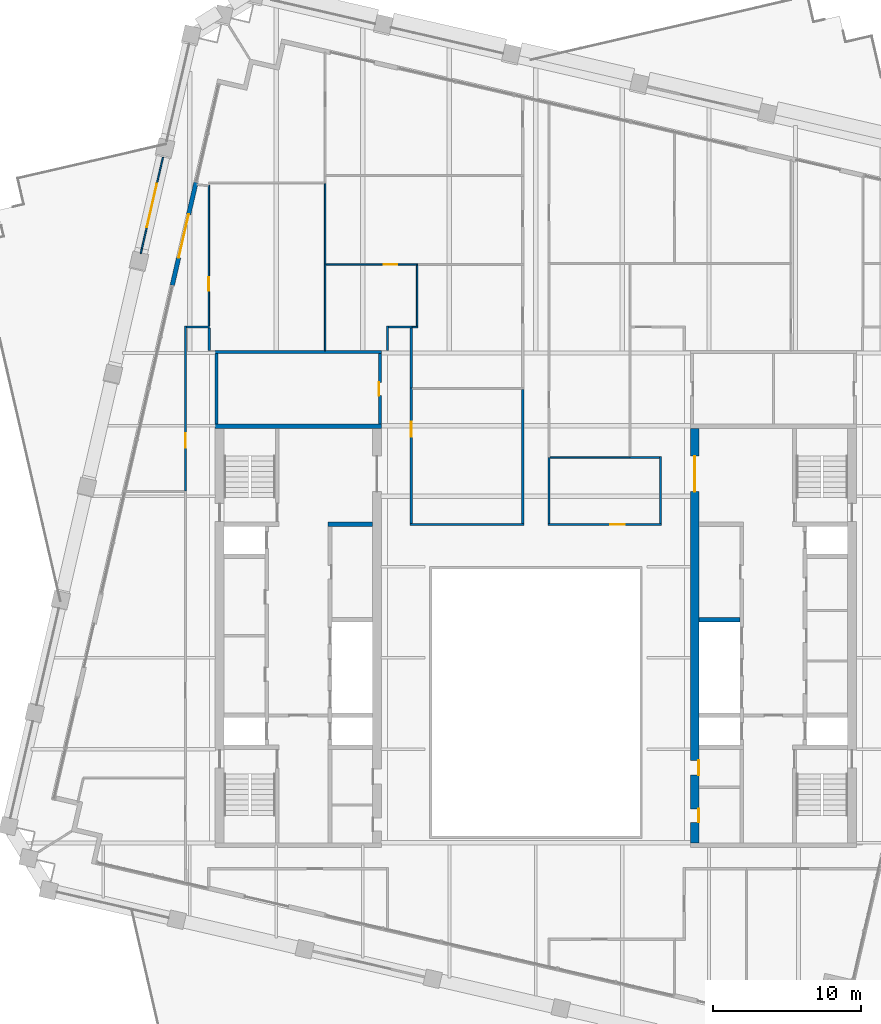
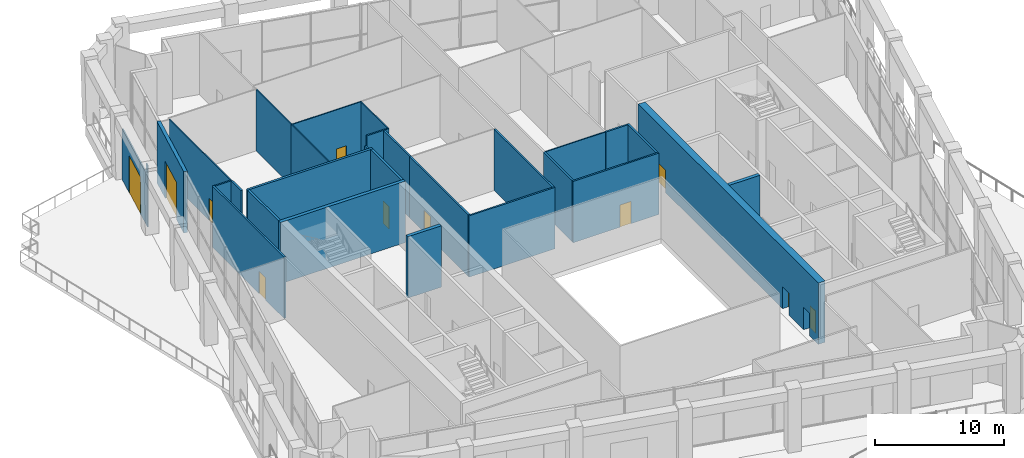
# One storey, part 14 of 21: 30 walls, 11 doors, 11 openings.
"""IFC4 building model written with IfcOpenShell, lengths in metres."""

from ifc_helpers import new_model, si_unit, direction, frame, frame_2d, origin, place, context, subcontext, project, spatial, rectangle, extrude, material, layer, layer_set, type_object, element, fill, save


model = new_model("IFC4")

# Units and contexts
model_context = context("Model", 3, precision=1e-05, world=origin(), true_north=direction((0.0, 1.0)))
body_context = subcontext(model_context, "Body", "Model", "MODEL_VIEW")
ifc_project = project(units=[si_unit("LENGTHUNIT", "METRE"), si_unit("AREAUNIT", "SQUARE_METRE"), si_unit("VOLUMEUNIT", "CUBIC_METRE"), si_unit("PLANEANGLEUNIT", "RADIAN"), si_unit("MASSUNIT", "GRAM", prefix="KILO")], contexts=[model_context])

# Site, building, storey
site_placement = place(None, origin())
site = spatial("IfcSite", under=ifc_project, at=site_placement, CompositionType="ELEMENT")
building_placement = place(site_placement, origin())
building = spatial("IfcBuilding", under=site, at=building_placement, Name="Ogive Exchange Tower", CompositionType="ELEMENT")
storey_placement = place(building_placement, frame((0.0, 0.0, 237.0)))
storey = spatial("IfcBuildingStorey", under=building, at=storey_placement, Name="L51", CompositionType="ELEMENT", Elevation=237.0)

# Wall
ifc_material_1 = material(Name="Gypsum board partition")
ifc_layer_1 = layer(ifc_material_1, 0.300048828125)
ifc_layer_set_1 = layer_set([ifc_layer_1], Name="Core room partition 300 gypsum")
wall_type_1 = type_object("IfcWallType", Name="Core room partition 300 gypsum", PredefinedType="PARTITIONING", material=ifc_layer_set_1)
wall_1_placement = place(storey_placement, frame((-14.0, 19.0, 0.0), z_axis=(0.0, 0.0, 1.0), x_axis=(1.0, 0.0, 0.0)))
element("IfcWall", 1, at=wall_1_placement, inside=storey, type_object=wall_type_1, Name="W row B room end wall 7", PredefinedType="PARTITIONING", context=body_context, shape_type="SweptSolid", body=[
    extrude(rectangle(XDim=3.0, YDim=0.300048828125, at=frame_2d((1.5, 0.0))), origin(), (0.0, 0.0, 1.0), 5.800048828125),
])

# Wall, opening, door
ifc_material_2 = material(Name="Fire partition EI 60 150")
ifc_layer_2 = layer(ifc_material_2, 0.14990234375)
ifc_layer_set_2 = layer_set([ifc_layer_2], Name="Fire partition EI 60 150")
wall_type_2 = type_object("IfcWallType", Name="Fire partition EI 60 150", PredefinedType="PARTITIONING", material=ifc_layer_set_2)
wall_2_placement = place(storey_placement, frame((-23.60009765625, 21.260009765625, 0.0), z_axis=(0.0, 0.0, 1.0), x_axis=(0.0, 1.0, 0.0)))
wall_2 = element("IfcWall", 2, at=wall_2_placement, inside=storey, type_object=wall_type_2, Name="L51-PWL-006", PredefinedType="PARTITIONING", context=body_context, shape_type="SweptSolid", body=[
    extrude(rectangle(XDim=11.114990234375, YDim=0.14990234375, at=frame_2d((5.5576171875, 0.0))), origin(), (0.0, 0.0, 1.0), 5.800048828125),
])
opening_1_placement = place(wall_2_placement, frame((2.889892578125, 0.0, 0.0)))
opening_1 = element("IfcOpeningElement", 3, at=opening_1_placement, cuts=wall_2, Name="Opening L51-I09", PredefinedType="OPENING", context=body_context, shape_type="SweptSolid", body=[
    extrude(rectangle(XDim=1.0, YDim=2.10009765625, at=frame_2d((0.5, 1.050048828125))), frame((0.0, 0.0849609375, 0.0), z_axis=(0.0, -1.0, 0.0), x_axis=(1.0, 0.0, 0.0)), (0.0, 0.0, 1.0), 0.169921875),
])
ifc_material_3 = material(Name="Fire door FD 30S 1000 x 2100")
door_type_1 = type_object("IfcDoorType", Name="Fire door FD 30S 1000 x 2100", OperationType="NOTDEFINED", PredefinedType="DOOR", material=ifc_material_3)
door_1_placement = place(opening_1_placement, origin())
door_1 = element("IfcDoor", 4, at=door_1_placement, inside=storey, type_object=door_type_1, Name="L51-IDR-009", ObjectType="DT3", OperationType="SINGLE_SWING_RIGHT", OverallHeight=2.10009765625, OverallWidth=1.0, PredefinedType="DOOR", context=body_context, shape_type="SweptSolid", body=[
    extrude(rectangle(XDim=1.0, YDim=2.10009765625, at=frame_2d((0.5, 1.050048828125))), frame((0.0, 0.02490234375, 0.0), z_axis=(0.0, -1.0, 0.0), x_axis=(1.0, 0.0, 0.0)), (0.0, 0.0, 1.0), 0.050048828125),
])
fill(opening_1, door_1)

# Walls
wall_3_placement = place(storey_placement, frame((-23.52490234375, 32.300048828125, 0.0), z_axis=(0.0, 0.0, 1.0), x_axis=(1.0, 0.0, 0.0)))
element("IfcWall", 5, at=wall_3_placement, inside=storey, type_object=wall_type_2, Name="L51-PWL-007", PredefinedType="PARTITIONING", context=body_context, shape_type="SweptSolid", body=[
    extrude(rectangle(XDim=1.544921875, YDim=0.14990234375, at=frame_2d((0.7724609375, 0.0))), origin(), (0.0, 0.0, 1.0), 5.800048828125),
])
wall_4_placement = place(storey_placement, frame((-22.0, 32.22509765625, 0.0), z_axis=(0.0, 0.0, 1.0), x_axis=(0.0, -1.0, 0.0)))
element("IfcWall", 6, at=wall_4_placement, inside=storey, type_object=wall_type_2, Name="L51-PWL-013", PredefinedType="PARTITIONING", context=body_context, shape_type="SweptSolid", body=[
    extrude(rectangle(XDim=1.525146484375, YDim=0.14990234375, at=frame_2d((0.7626953125, 0.0))), origin(), (0.0, 0.0, 1.0), 5.800048828125),
])
wall_5_placement = place(storey_placement, frame((-10.0, 30.699951171875, 0.0), z_axis=(0.0, 0.0, 1.0), x_axis=(0.0, 1.0, 0.0)))
element("IfcWall", 7, at=wall_5_placement, inside=storey, type_object=wall_type_2, Name="L51-PWL-022", PredefinedType="PARTITIONING", context=body_context, shape_type="SweptSolid", body=[
    extrude(rectangle(XDim=1.675048828125, YDim=0.14990234375, at=frame_2d((0.83740234375, 0.0))), origin(), (0.0, 0.0, 1.0), 4.820068359375),
])
wall_6_placement = place(storey_placement, frame((-9.925048828125, 32.300048828125, 0.0), z_axis=(0.0, 0.0, 1.0), x_axis=(1.0, 0.0, 0.0)))
element("IfcWall", 8, at=wall_6_placement, inside=storey, type_object=wall_type_2, Name="L51-PWL-023", PredefinedType="PARTITIONING", context=body_context, shape_type="SweptSolid", body=[
    extrude(rectangle(XDim=1.60009765625, YDim=0.14990234375, at=frame_2d((0.800048828125, 0.0))), origin(), (0.0, 0.0, 1.0), 5.800048828125),
])
wall_7_placement = place(storey_placement, frame((-8.47509765625, 19.0, 0.0), z_axis=(0.0, 0.0, 1.0), x_axis=(1.0, 0.0, 0.0)))
element("IfcWall", 9, at=wall_7_placement, inside=storey, type_object=wall_type_2, Name="L51-PWL-024", PredefinedType="PARTITIONING", context=body_context, shape_type="SweptSolid", body=[
    extrude(rectangle(XDim=7.670166015625, YDim=0.14990234375, at=frame_2d((3.8349609375, 0.0))), origin(), (0.0, 0.0, 1.0), 5.800048828125),
])

# Wall, opening, door
wall_8_placement = place(storey_placement, frame((-8.39990234375, 28.18994140625, 0.0), z_axis=(0.0, 0.0, 1.0), x_axis=(0.0, -1.0, 0.0)))
wall_8 = element("IfcWall", 10, at=wall_8_placement, inside=storey, type_object=wall_type_2, Name="L51-PWL-025", PredefinedType="PARTITIONING", context=body_context, shape_type="SweptSolid", body=[
    extrude(rectangle(XDim=9.114990234375, YDim=0.14990234375, at=frame_2d((4.5576171875, 0.0))), origin(), (0.0, 0.0, 1.0), 5.800048828125),
])
opening_2_placement = place(wall_8_placement, frame((2.2900390625, 0.0, 0.0)))
opening_2 = element("IfcOpeningElement", 11, at=opening_2_placement, cuts=wall_8, Name="Opening L51-I02", PredefinedType="OPENING", context=body_context, shape_type="SweptSolid", body=[
    extrude(rectangle(XDim=1.0, YDim=2.10009765625, at=frame_2d((0.5, 1.050048828125))), frame((0.0, 0.0849609375, 0.0), z_axis=(0.0, -1.0, 0.0), x_axis=(1.0, 0.0, 0.0)), (0.0, 0.0, 1.0), 0.169921875),
])
door_2_placement = place(opening_2_placement, origin())
door_2 = element("IfcDoor", 12, at=door_2_placement, inside=storey, type_object=door_type_1, Name="L51-IDR-002", ObjectType="DT3", OperationType="SINGLE_SWING_RIGHT", OverallHeight=2.10009765625, OverallWidth=1.0, PredefinedType="DOOR", context=body_context, shape_type="SweptSolid", body=[
    extrude(rectangle(XDim=1.0, YDim=2.10009765625, at=frame_2d((0.5, 1.050048828125))), frame((0.0, 0.02490234375, 0.0), z_axis=(0.0, -1.0, 0.0), x_axis=(1.0, 0.0, 0.0)), (0.0, 0.0, 1.0), 0.050048828125),
])
fill(opening_2, door_2)

# Walls
wall_9_placement = place(storey_placement, frame((-8.389892578125, 32.215087890625, 0.0), z_axis=(0.0, 0.0, 1.0), x_axis=(0.0, -1.0, 0.0)))
element("IfcWall", 13, at=wall_9_placement, inside=storey, type_object=wall_type_2, Name="L51-PWL-027", PredefinedType="PARTITIONING", context=body_context, shape_type="SweptSolid", body=[
    extrude(rectangle(XDim=4.025146484375, YDim=0.14990234375, at=frame_2d((2.0126953125, 0.0))), origin(), (0.0, 0.0, 1.0), 5.800048828125),
])
wall_10_placement = place(storey_placement, frame((-0.8798828125, 19.074951171875, 0.0), z_axis=(0.0, 0.0, 1.0), x_axis=(0.0, 1.0, 0.0)))
element("IfcWall", 14, at=wall_10_placement, inside=storey, type_object=wall_type_2, Name="L51-PWL-031", PredefinedType="PARTITIONING", context=body_context, shape_type="SweptSolid", body=[
    extrude(rectangle(XDim=9.01513671875, YDim=0.14990234375, at=frame_2d((4.507568359375, 0.0))), origin(), (0.0, 0.0, 1.0), 5.800048828125),
])

# Wall, opening, door
wall_11_placement = place(storey_placement, frame((0.804931640625, 19.0, 0.0), z_axis=(0.0, 0.0, 1.0), x_axis=(1.0, 0.0, 0.0)))
wall_11 = element("IfcWall", 15, at=wall_11_placement, inside=storey, type_object=wall_type_2, Name="L51-PWL-036", PredefinedType="PARTITIONING", context=body_context, shape_type="SweptSolid", body=[
    extrude(rectangle(XDim=7.670166015625, YDim=0.14990234375, at=frame_2d((3.8349609375, 0.0))), origin(), (0.0, 0.0, 1.0), 5.800048828125),
])
opening_3_placement = place(wall_11_placement, frame((4.195068359375, 0.0, 0.0)))
opening_3 = element("IfcOpeningElement", 16, at=opening_3_placement, cuts=wall_11, Name="Opening L51-I14", PredefinedType="OPENING", context=body_context, shape_type="SweptSolid", body=[
    extrude(rectangle(XDim=1.0, YDim=2.10009765625, at=frame_2d((0.5, 1.050048828125))), frame((0.0, 0.0849609375, 0.0), z_axis=(0.0, -1.0, 0.0), x_axis=(1.0, 0.0, 0.0)), (0.0, 0.0, 1.0), 0.169921875),
])
door_3_placement = place(opening_3_placement, origin())
door_3 = element("IfcDoor", 17, at=door_3_placement, inside=storey, type_object=door_type_1, Name="L51-IDR-014", ObjectType="DT3", OperationType="SINGLE_SWING_LEFT", OverallHeight=2.10009765625, OverallWidth=1.0, PredefinedType="DOOR", context=body_context, shape_type="SweptSolid", body=[
    extrude(rectangle(XDim=1.0, YDim=2.10009765625, at=frame_2d((0.5, 1.050048828125))), frame((0.0, 0.02490234375, 0.0), z_axis=(0.0, -1.0, 0.0), x_axis=(1.0, 0.0, 0.0)), (0.0, 0.0, 1.0), 0.050048828125),
])
fill(opening_3, door_3)

# Walls
wall_12_placement = place(storey_placement, frame((0.8798828125, 23.5, 0.0), z_axis=(0.0, 0.0, 1.0), x_axis=(0.0, -1.0, 0.0)))
element("IfcWall", 18, at=wall_12_placement, inside=storey, type_object=wall_type_2, Name="L51-PWL-037", PredefinedType="PARTITIONING", context=body_context, shape_type="SweptSolid", body=[
    extrude(rectangle(XDim=4.425048828125, YDim=0.14990234375, at=frame_2d((2.21240234375, 0.0))), origin(), (0.0, 0.0, 1.0), 5.800048828125),
])
wall_13_placement = place(storey_placement, frame((8.39990234375, 19.074951171875, 0.0), z_axis=(0.0, 0.0, 1.0), x_axis=(0.0, 1.0, 0.0)))
element("IfcWall", 19, at=wall_13_placement, inside=storey, type_object=wall_type_2, Name="L51-PWL-045", PredefinedType="PARTITIONING", context=body_context, shape_type="SweptSolid", body=[
    extrude(rectangle(XDim=4.5, YDim=0.14990234375, at=frame_2d((2.25, 0.0))), origin(), (0.0, 0.0, 1.0), 5.800048828125),
])
wall_14_placement = place(storey_placement, frame((8.324951171875, 23.5, 0.0), z_axis=(0.0, 0.0, 1.0), x_axis=(-1.0, 0.0, 0.0)))
element("IfcWall", 20, at=wall_14_placement, inside=storey, type_object=wall_type_2, Name="L51-PWL-046", PredefinedType="PARTITIONING", context=body_context, shape_type="SweptSolid", body=[
    extrude(rectangle(XDim=1.98486328125, YDim=0.14990234375, at=frame_2d((0.992431640625, 0.0))), origin(), (0.0, 0.0, 1.0), 5.800048828125),
])

# Wall, opening, door
ifc_material_4 = material(Name="Precast concrete C40/50", Category="concrete")
ifc_layer_3 = layer(ifc_material_4, 0.300048828125)
ifc_layer_set_3 = layer_set([ifc_layer_3], Name="Limestone-faced wall 300")
wall_type_3 = type_object("IfcWallType", Name="Limestone-faced wall 300", PredefinedType="STANDARD", material=ifc_layer_set_3)
wall_15_placement = place(storey_placement, frame((-22.8916015625, 42.03857421875, 0.0), z_axis=(0.0, 0.0, 1.0), x_axis=(-0.224982313536, -0.974362847504, 0.0)))
wall_15 = element("IfcWall", 21, at=wall_15_placement, inside=storey, type_object=wall_type_3, Name="External wall W6", PredefinedType="STANDARD", context=body_context, shape_type="SweptSolid", body=[
    extrude(rectangle(XDim=7.1142578125, YDim=0.300048828125, at=frame_2d((3.55712890625, 0.0))), origin(), (0.0, 0.0, 1.0), 5.800048828125),
])
opening_4_placement = place(wall_15_placement, frame((2.20703125, 0.0, 0.0)))
opening_4 = element("IfcOpeningElement", 22, at=opening_4_placement, cuts=wall_15, Name="Opening D2", PredefinedType="OPENING", context=body_context, shape_type="SweptSolid", body=[
    extrude(rectangle(XDim=3.0, YDim=3.5, at=frame_2d((1.5, 1.75))), frame((0.0, 0.159912109375, 0.0), z_axis=(0.0, -1.0, 0.0), x_axis=(1.0, 0.0, 0.0)), (0.0, 0.0, 1.0), 0.320068359375),
])
ifc_material_5 = material(Name="Clear glass in bronze frame", Category="glass")
door_type_2 = type_object("IfcDoorType", Name="Winter garden sliding door 3000 x 3500", OperationType="DOUBLE_DOOR_SLIDING", PredefinedType="DOOR", material=ifc_material_5)
door_4_placement = place(opening_4_placement, origin())
door_4 = element("IfcDoor", 23, at=door_4_placement, inside=storey, type_object=door_type_2, Name="Loggia door W01", OperationType="DOUBLE_DOOR_SLIDING", OverallHeight=3.5, OverallWidth=3.0, PredefinedType="DOOR", context=body_context, shape_type="SweptSolid", body=[
    extrude(rectangle(XDim=3.0, YDim=3.5, at=frame_2d((1.5, 1.75))), frame((0.0, 0.02490234375, 0.0), z_axis=(0.0, -1.0, 0.0), x_axis=(1.0, 0.0, 0.0)), (0.0, 0.0, 1.0), 0.050048828125),
])
fill(opening_4, door_4)

ifc_material_6 = material(Name="Laminated safety glass in steel frame", Category="steel")
ifc_layer_4 = layer(ifc_material_6, 0.10009765625)
ifc_layer_set_4 = layer_set([ifc_layer_4], Name="Loggia end screen 100")
wall_type_4 = type_object("IfcWallType", Name="Loggia end screen 100", PredefinedType="STANDARD", material=ifc_layer_set_4)
wall_16_placement = place(storey_placement, frame((-25.118896484375, 43.72705078125, 0.0), z_axis=(0.0, 0.0, 1.0), x_axis=(-0.224972527218, -0.974365107132, 0.0)))
wall_16 = element("IfcWall", 24, at=wall_16_placement, inside=storey, type_object=wall_type_4, Name="Terrace screen W01", PredefinedType="STANDARD", context=body_context, shape_type="SweptSolid", body=[
    extrude(rectangle(XDim=6.310546875, YDim=0.10009765625, at=frame_2d((3.1552734375, 0.0))), origin(), (0.0, 0.0, 1.0), 4.85009765625),
])
opening_5_placement = place(wall_16_placement, frame((1.830078125, 0.0, 0.0)))
opening_5 = element("IfcOpeningElement", 25, at=opening_5_placement, cuts=wall_16, Name="Opening D4", PredefinedType="OPENING", context=body_context, shape_type="SweptSolid", body=[
    extrude(rectangle(XDim=3.0, YDim=3.5, at=frame_2d((1.5, 1.75))), frame((0.0, 0.06005859375, 0.0), z_axis=(0.0, -1.0, 0.0), x_axis=(1.0, 0.0, 0.0)), (0.0, 0.0, 1.0), 0.1201171875),
])
door_type_3 = type_object("IfcDoorType", Name="Terrace sliding door 3000 x 3500", OperationType="DOUBLE_DOOR_SLIDING", PredefinedType="DOOR", material=ifc_material_5)
door_5_placement = place(opening_5_placement, origin())
door_5 = element("IfcDoor", 26, at=door_5_placement, inside=storey, type_object=door_type_3, Name="Terrace door W01", OperationType="DOUBLE_DOOR_SLIDING", OverallHeight=3.5, OverallWidth=3.0, PredefinedType="DOOR", context=body_context, shape_type="SweptSolid", body=[
    extrude(rectangle(XDim=3.0, YDim=3.5, at=frame_2d((1.5, 1.75))), frame((0.0, 0.02490234375, 0.0), z_axis=(0.0, -1.0, 0.0), x_axis=(1.0, 0.0, 0.0)), (0.0, 0.0, 1.0), 0.050048828125),
])
fill(opening_5, door_5)

# Wall
wall_17_placement = place(storey_placement, frame((-26.53857421875, 37.578369140625, 0.0), z_axis=(0.0, 0.0, 1.0), x_axis=(-0.224910518966, -0.974379422227, 0.0)))
element("IfcWall", 27, at=wall_17_placement, inside=storey, type_object=wall_type_4, Name="Terrace screen W01", PredefinedType="STANDARD", context=body_context, shape_type="SweptSolid", body=[
    extrude(rectangle(XDim=0.349609375, YDim=0.10009765625, at=frame_2d((0.1748046875, 0.0))), origin(), (0.0, 0.0, 1.0), 5.800048828125),
])

# Wall, opening, door
ifc_material_7 = material(Name="Partition 100 gypsum")
ifc_layer_5 = layer(ifc_material_7, 0.10009765625)
ifc_layer_set_5 = layer_set([ifc_layer_5], Name="Partition 100 gypsum")
wall_type_5 = type_object("IfcWallType", Name="Partition 100 gypsum", PredefinedType="PARTITIONING", material=ifc_layer_set_5)
wall_18_placement = place(storey_placement, frame((-22.030029296875, 32.375, 0.0), z_axis=(0.0, 0.0, 1.0), x_axis=(0.0, 1.0, 0.0)))
wall_18 = element("IfcWall", 28, at=wall_18_placement, inside=storey, type_object=wall_type_5, Name="L51-PWL-010", PredefinedType="PARTITIONING", context=body_context, shape_type="SweptSolid", body=[
    extrude(rectangle(XDim=9.47509765625, YDim=0.10009765625, at=frame_2d((4.737548828125, 0.0))), origin(), (0.0, 0.0, 1.0), 5.800048828125),
])
opening_6_placement = place(wall_18_placement, frame((2.375, 0.0, 0.0)))
opening_6 = element("IfcOpeningElement", 29, at=opening_6_placement, cuts=wall_18, Name="Opening L51-I07", PredefinedType="OPENING", context=body_context, shape_type="SweptSolid", body=[
    extrude(rectangle(XDim=0.89990234375, YDim=2.10009765625, at=frame_2d((0.449951171875, 1.050048828125))), frame((0.0, 0.06005859375, 0.0), z_axis=(0.0, -1.0, 0.0), x_axis=(1.0, 0.0, 0.0)), (0.0, 0.0, 1.0), 0.1201171875),
])
ifc_material_8 = material(Name="Door 900 x 2100")
door_type_4 = type_object("IfcDoorType", Name="Door 900 x 2100", OperationType="NOTDEFINED", PredefinedType="DOOR", material=ifc_material_8)
door_6_placement = place(opening_6_placement, origin())
door_6 = element("IfcDoor", 30, at=door_6_placement, inside=storey, type_object=door_type_4, Name="L51-IDR-007", ObjectType="DT1", OperationType="SINGLE_SWING_RIGHT", OverallHeight=2.10009765625, OverallWidth=0.89990234375, PredefinedType="DOOR", context=body_context, shape_type="SweptSolid", body=[
    extrude(rectangle(XDim=0.89990234375, YDim=2.10009765625, at=frame_2d((0.449951171875, 1.050048828125))), frame((0.0, 0.02490234375, 0.0), z_axis=(0.0, -1.0, 0.0), x_axis=(1.0, 0.0, 0.0)), (0.0, 0.0, 1.0), 0.050048828125),
])
fill(opening_6, door_6)

# Walls
wall_19_placement = place(storey_placement, frame((-14.18994140625, 30.699951171875, 0.0), z_axis=(0.0, 0.0, 1.0), x_axis=(0.0, 1.0, 0.0)))
element("IfcWall", 31, at=wall_19_placement, inside=storey, type_object=wall_type_5, Name="L51-PWL-014", PredefinedType="PARTITIONING", context=body_context, shape_type="SweptSolid", body=[
    extrude(rectangle(XDim=5.85009765625, YDim=0.10009765625, at=frame_2d((2.925048828125, 0.0))), origin(), (0.0, 0.0, 1.0), 5.800048828125),
])
wall_20_placement = place(storey_placement, frame((-14.18994140625, 36.550048828125, 0.0), z_axis=(0.0, 0.0, 1.0), x_axis=(0.0, 1.0, 0.0)))
element("IfcWall", 32, at=wall_20_placement, inside=storey, type_object=wall_type_5, Name="L51-PWL-015", PredefinedType="PARTITIONING", context=body_context, shape_type="SweptSolid", body=[
    extrude(rectangle(XDim=5.39990234375, YDim=0.10009765625, at=frame_2d((2.699951171875, 0.0))), origin(), (0.0, 0.0, 1.0), 5.800048828125),
])

# Wall, opening, door
wall_21_placement = place(storey_placement, frame((-14.139892578125, 36.5, 0.0), z_axis=(0.0, 0.0, 1.0), x_axis=(1.0, 0.0, 0.0)))
wall_21 = element("IfcWall", 33, at=wall_21_placement, inside=storey, type_object=wall_type_5, Name="L51-PWL-016", PredefinedType="PARTITIONING", context=body_context, shape_type="SweptSolid", body=[
    extrude(rectangle(XDim=6.18994140625, YDim=0.10009765625, at=frame_2d((3.094970703125, 0.0))), origin(), (0.0, 0.0, 1.0), 5.800048828125),
])
opening_7_placement = place(wall_21_placement, frame((3.89990234375, 0.0, 0.0)))
opening_7 = element("IfcOpeningElement", 34, at=opening_7_placement, cuts=wall_21, Name="Opening L51-I03", PredefinedType="OPENING", context=body_context, shape_type="SweptSolid", body=[
    extrude(rectangle(XDim=0.89990234375, YDim=2.10009765625, at=frame_2d((0.449951171875, 1.050048828125))), frame((0.0, 0.06005859375, 0.0), z_axis=(0.0, -1.0, 0.0), x_axis=(1.0, 0.0, 0.0)), (0.0, 0.0, 1.0), 0.1201171875),
])
door_7_placement = place(opening_7_placement, frame((0.89990234375, 0.0, 0.0), z_axis=(0.0, 0.0, 1.0), x_axis=(-1.0, 0.0, 0.0)))
door_7 = element("IfcDoor", 35, at=door_7_placement, inside=storey, type_object=door_type_4, Name="L51-IDR-003", ObjectType="DT1", OperationType="SINGLE_SWING_RIGHT", OverallHeight=2.10009765625, OverallWidth=0.89990234375, PredefinedType="DOOR", context=body_context, shape_type="SweptSolid", body=[
    extrude(rectangle(XDim=0.89990234375, YDim=2.10009765625, at=frame_2d((0.449951171875, 1.050048828125))), frame((0.0, 0.02490234375, 0.0), z_axis=(0.0, -1.0, 0.0), x_axis=(1.0, 0.0, 0.0)), (0.0, 0.0, 1.0), 0.050048828125),
])
fill(opening_7, door_7)

# Walls
wall_22_placement = place(storey_placement, frame((-7.949951171875, 32.2900390625, 0.0), z_axis=(0.0, 0.0, 1.0), x_axis=(-1.0, 0.0, 0.0)))
element("IfcWall", 36, at=wall_22_placement, inside=storey, type_object=wall_type_5, Name="L51-PWL-028", PredefinedType="PARTITIONING", context=body_context, shape_type="SweptSolid", body=[
    extrude(rectangle(XDim=0.375, YDim=0.10009765625, at=frame_2d((0.1875, 0.0))), origin(), (0.0, 0.0, 1.0), 5.800048828125),
])
wall_23_placement = place(storey_placement, frame((-8.0, 36.449951171875, 0.0), z_axis=(0.0, 0.0, 1.0), x_axis=(0.0, -1.0, 0.0)))
element("IfcWall", 37, at=wall_23_placement, inside=storey, type_object=wall_type_5, Name="L51-PWL-029", PredefinedType="PARTITIONING", context=body_context, shape_type="SweptSolid", body=[
    extrude(rectangle(XDim=4.10986328125, YDim=0.10009765625, at=frame_2d((2.054931640625, 0.0))), origin(), (0.0, 0.0, 1.0), 5.800048828125),
])
wall_24_placement = place(storey_placement, frame((0.955078125, 23.5, 0.0), z_axis=(0.0, 0.0, 1.0), x_axis=(1.0, 0.0, 0.0)))
element("IfcWall", 38, at=wall_24_placement, inside=storey, type_object=wall_type_5, Name="L51-PWL-038", PredefinedType="PARTITIONING", context=body_context, shape_type="SweptSolid", body=[
    extrude(rectangle(XDim=5.385009765625, YDim=0.10009765625, at=frame_2d((2.6923828125, 0.0))), origin(), (0.0, 0.0, 1.0), 5.800048828125),
])
ifc_material_9 = material(Name="Concrete C70/85", Category="concrete")
ifc_layer_6 = layer(ifc_material_9, 0.199951171875)
ifc_layer_set_6 = layer_set([ifc_layer_6], Name="RC core wall 200 C70/85")
wall_type_6 = type_object("IfcWallType", Name="RC core wall 200 C70/85", PredefinedType="SHEAR", material=ifc_layer_set_6)
wall_25_placement = place(storey_placement, frame((-21.5, 25.75, 0.0), z_axis=(0.0, 0.0, 1.0), x_axis=(0.0, 1.0, 0.0)))
element("IfcWall", 39, at=wall_25_placement, inside=storey, type_object=wall_type_6, Name="W annex N outer wall", PredefinedType="SHEAR", context=body_context, shape_type="SweptSolid", body=[
    extrude(rectangle(XDim=4.75, YDim=0.199951171875, at=frame_2d((2.375, 0.0))), origin(), (0.0, 0.0, 1.0), 5.800048828125),
])

# Wall, opening, door
wall_26_placement = place(storey_placement, frame((-10.5, 25.75, 0.0), z_axis=(0.0, 0.0, 1.0), x_axis=(0.0, 1.0, 0.0)))
wall_26 = element("IfcWall", 40, at=wall_26_placement, inside=storey, type_object=wall_type_6, Name="W annex N inner wall", PredefinedType="SHEAR", context=body_context, shape_type="SweptSolid", body=[
    extrude(rectangle(XDim=4.75, YDim=0.199951171875, at=frame_2d((2.375, 0.0))), origin(), (0.0, 0.0, 1.0), 5.800048828125),
])
opening_8_placement = place(wall_26_placement, frame((1.925048828125, 0.0, 0.0)))
opening_8 = element("IfcOpeningElement", 41, at=opening_8_placement, cuts=wall_26, Name="Opening L51-C18", PredefinedType="OPENING", context=body_context, shape_type="SweptSolid", body=[
    extrude(rectangle(XDim=0.89990234375, YDim=2.10009765625, at=frame_2d((0.449951171875, 1.050048828125))), frame((0.0, 0.10986328125, 0.0), z_axis=(0.0, -1.0, 0.0), x_axis=(1.0, 0.0, 0.0)), (0.0, 0.0, 1.0), 0.219970703125),
])
ifc_material_10 = material(Name="Steel fire door", Category="steel")
door_type_5 = type_object("IfcDoorType", Name="Riser door FD60 900 x 2100", OperationType="NOTDEFINED", PredefinedType="DOOR", material=ifc_material_10)
door_8_placement = place(opening_8_placement, frame((0.89990234375, 0.14990234375, 0.0), z_axis=(0.0, 0.0, 1.0), x_axis=(-1.0, 0.0, 0.0)))
door_8 = element("IfcDoor", 42, at=door_8_placement, inside=storey, type_object=door_type_5, Name="Riser door", ObjectType="CD2", OperationType="SINGLE_SWING_RIGHT", OverallHeight=2.10009765625, OverallWidth=0.89990234375, PredefinedType="DOOR", context=body_context, shape_type="SweptSolid", body=[
    extrude(rectangle(XDim=0.89990234375, YDim=2.10009765625, at=frame_2d((0.449951171875, 1.050048828125))), frame((0.0, 0.10009765625, 0.0), z_axis=(0.0, -1.0, 0.0), x_axis=(1.0, 0.0, 0.0)), (0.0, 0.0, 1.0), 0.050048828125),
])
fill(opening_8, door_8)

# Walls
wall_27_placement = place(storey_placement, frame((-21.60009765625, 30.60009765625, 0.0), z_axis=(0.0, 0.0, 1.0), x_axis=(1.0, 0.0, 0.0)))
element("IfcWall", 43, at=wall_27_placement, inside=storey, type_object=wall_type_6, Name="W annex N end wall", PredefinedType="SHEAR", context=body_context, shape_type="SweptSolid", body=[
    extrude(rectangle(XDim=11.2001953125, YDim=0.199951171875, at=frame_2d((5.60009765625, 0.0))), origin(), (0.0, 0.0, 1.0), 5.800048828125),
])
ifc_layer_7 = layer(ifc_material_9, 0.300048828125)
ifc_layer_set_7 = layer_set([ifc_layer_7], Name="RC core wall 300 C70/85")
wall_type_7 = type_object("IfcWallType", Name="RC core wall 300 C70/85", PredefinedType="SHEAR", material=ifc_layer_set_7)
wall_28_placement = place(storey_placement, frame((-21.60009765625, 25.60009765625, 0.0), z_axis=(0.0, 0.0, 1.0), x_axis=(1.0, 0.0, 0.0)))
element("IfcWall", 44, at=wall_28_placement, inside=storey, type_object=wall_type_7, Name="W north end wall", PredefinedType="SHEAR", context=body_context, shape_type="SweptSolid", body=[
    extrude(rectangle(XDim=11.2001953125, YDim=0.300048828125, at=frame_2d((5.60009765625, 0.0))), origin(), (0.0, 0.0, 1.0), 5.800048828125),
])
wall_29_placement = place(storey_placement, frame((11.0, 12.5712890625, 0.0), z_axis=(0.0, 0.0, 1.0), x_axis=(1.0, 0.0, 0.0)))
element("IfcWall", 45, at=wall_29_placement, inside=storey, type_object=wall_type_7, Name="E row B divider 4", PredefinedType="SHEAR", context=body_context, shape_type="SweptSolid", body=[
    extrude(rectangle(XDim=2.75, YDim=0.300048828125, at=frame_2d((1.375, 0.0))), origin(), (0.0, 0.0, 1.0), 5.800048828125),
])

# Wall, openings, doors
ifc_layer_8 = layer(ifc_material_9, 0.60009765625)
ifc_layer_set_8 = layer_set([ifc_layer_8], Name="RC core wall 600 C70/85")
wall_type_8 = type_object("IfcWallType", Name="RC core wall 600 C70/85", PredefinedType="SHEAR", material=ifc_layer_set_8)
wall_30_placement = place(storey_placement, frame((10.699951171875, -2.449951171875, 0.0), z_axis=(0.0, 0.0, 1.0), x_axis=(0.0, 1.0, 0.0)))
wall_30 = element("IfcWall", 46, at=wall_30_placement, inside=storey, type_object=wall_type_8, Name="E inner wall", PredefinedType="SHEAR", context=body_context, shape_type="SweptSolid", body=[
    extrude(rectangle(XDim=27.89990234375, YDim=0.60009765625, at=frame_2d((13.949951171875, 0.0))), origin(), (0.0, 0.0, 1.0), 5.800048828125),
])
opening_9_placement = place(wall_30_placement, frame((23.64990234375, 0.0, 0.0)))
opening_9 = element("IfcOpeningElement", 47, at=opening_9_placement, cuts=wall_30, Name="Opening L51-C30", PredefinedType="OPENING", context=body_context, shape_type="SweptSolid", body=[
    extrude(rectangle(XDim=2.39990234375, YDim=2.10009765625, at=frame_2d((1.199951171875, 1.050048828125))), frame((0.0, 0.31005859375, 0.0), z_axis=(0.0, -1.0, 0.0), x_axis=(1.0, 0.0, 0.0)), (0.0, 0.0, 1.0), 0.6201171875),
])
opening_10_placement = place(wall_30_placement, frame((1.387451171875, 0.0, 0.0)))
opening_10 = element("IfcOpeningElement", 48, at=opening_10_placement, cuts=wall_30, Name="Opening L51-C35", PredefinedType="OPENING", context=body_context, shape_type="SweptSolid", body=[
    extrude(rectangle(XDim=0.89990234375, YDim=2.10009765625, at=frame_2d((0.449951171875, 1.050048828125))), frame((0.0, 0.31005859375, 0.0), z_axis=(0.0, -1.0, 0.0), x_axis=(1.0, 0.0, 0.0)), (0.0, 0.0, 1.0), 0.6201171875),
])
opening_11_placement = place(wall_30_placement, frame((4.5625, 0.0, 0.0)))
opening_11 = element("IfcOpeningElement", 49, at=opening_11_placement, cuts=wall_30, Name="Opening L51-C36", PredefinedType="OPENING", context=body_context, shape_type="SweptSolid", body=[
    extrude(rectangle(XDim=1.0, YDim=2.10009765625, at=frame_2d((0.5, 1.050048828125))), frame((0.0, 0.31005859375, 0.0), z_axis=(0.0, -1.0, 0.0), x_axis=(1.0, 0.0, 0.0)), (0.0, 0.0, 1.0), 0.6201171875),
])
ifc_material_11 = material(Name="Timber fire door", Category="wood")
door_type_6 = type_object("IfcDoorType", Name="Accessible WC door FD30S 1000 x 2100", OperationType="NOTDEFINED", PredefinedType="DOOR", material=ifc_material_11)
door_9_placement = place(opening_11_placement, origin())
door_9 = element("IfcDoor", 50, at=door_9_placement, inside=storey, type_object=door_type_6, Name="Accessible WC door", ObjectType="CD7", OperationType="SINGLE_SWING_RIGHT", OverallHeight=2.10009765625, OverallWidth=1.0, PredefinedType="DOOR", context=body_context, shape_type="SweptSolid", body=[
    extrude(rectangle(XDim=1.0, YDim=2.10009765625, at=frame_2d((0.5, 1.050048828125))), frame((0.0, -0.25, 0.0), z_axis=(0.0, -1.0, 0.0), x_axis=(1.0, 0.0, 0.0)), (0.0, 0.0, 1.0), 0.050048828125),
])
fill(opening_11, door_9)
door_type_7 = type_object("IfcDoorType", Name="Core room door FD30S 900 x 2100", OperationType="NOTDEFINED", PredefinedType="DOOR", material=ifc_material_11)
door_10_placement = place(opening_10_placement, origin())
door_10 = element("IfcDoor", 51, at=door_10_placement, inside=storey, type_object=door_type_7, Name="Core room door", ObjectType="CD6", OperationType="SINGLE_SWING_RIGHT", OverallHeight=2.10009765625, OverallWidth=0.89990234375, PredefinedType="DOOR", context=body_context, shape_type="SweptSolid", body=[
    extrude(rectangle(XDim=0.89990234375, YDim=2.10009765625, at=frame_2d((0.449951171875, 1.050048828125))), frame((0.0, -0.25, 0.0), z_axis=(0.0, -1.0, 0.0), x_axis=(1.0, 0.0, 0.0)), (0.0, 0.0, 1.0), 0.050048828125),
])
fill(opening_10, door_10)
ifc_material_12 = material(Name="Glazed steel fire door", Category="steel")
door_type_8 = type_object("IfcDoorType", Name="Lift lobby double door FD60 2400 x 2100", OperationType="DOUBLE_DOOR_SINGLE_SWING", PredefinedType="DOOR", material=ifc_material_12)
door_11_placement = place(opening_9_placement, origin())
door_11 = element("IfcDoor", 52, at=door_11_placement, inside=storey, type_object=door_type_8, Name="Lift lobby double door", ObjectType="CD4", OperationType="DOUBLE_DOOR_SINGLE_SWING", OverallHeight=2.10009765625, OverallWidth=2.39990234375, PredefinedType="DOOR", context=body_context, shape_type="SweptSolid", body=[
    extrude(rectangle(XDim=2.39990234375, YDim=2.10009765625, at=frame_2d((1.199951171875, 1.050048828125))), frame((0.0, 0.02490234375, 0.0), z_axis=(0.0, -1.0, 0.0), x_axis=(1.0, 0.0, 0.0)), (0.0, 0.0, 1.0), 0.050048828125),
])
fill(opening_9, door_11)

save(model, "model.ifc")
